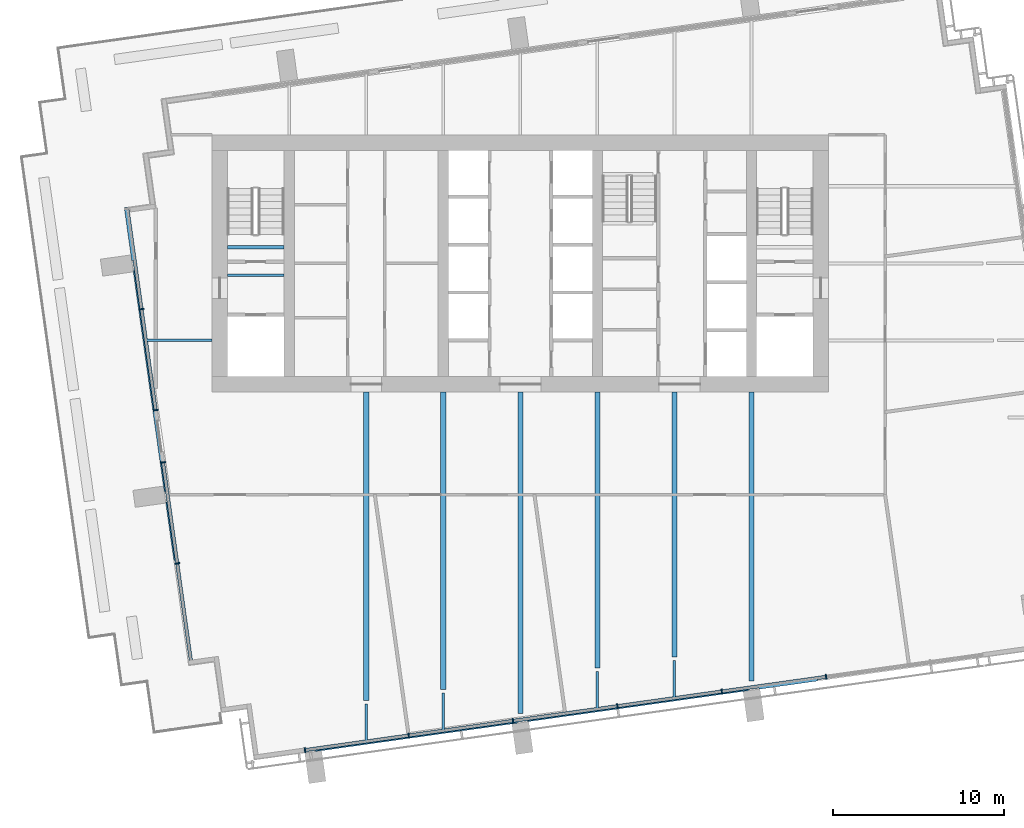
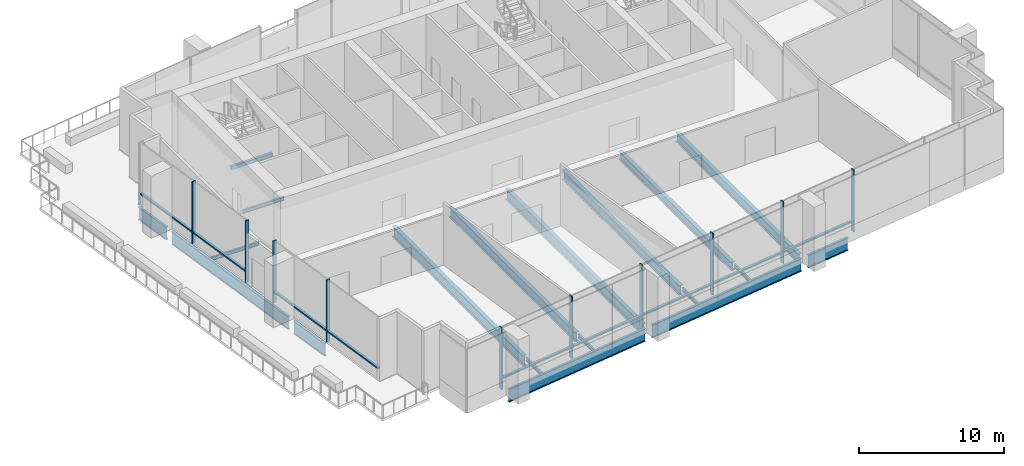
# One storey, part 2 of 18: 19 beams, 19 members, 3 elements without a shape of their own.
"""IFC4 building model written with IfcOpenShell, lengths in metres."""

from ifc_helpers import new_model, si_unit, direction, frame, origin, origin_2d, place, context, subcontext, project, spatial, rectangle, i_section, extrude, material, layer, layer_set, material_profile, profile_set, type_object, element, aggregate, save


model = new_model("IFC4")

# Units and contexts
model_context = context("Model", 3, precision=1e-05, world=origin(), true_north=direction((0.0, 1.0)))
body_context = subcontext(model_context, "Body", "Model", "MODEL_VIEW")
ifc_project = project(units=[si_unit("LENGTHUNIT", "METRE"), si_unit("AREAUNIT", "SQUARE_METRE"), si_unit("VOLUMEUNIT", "CUBIC_METRE"), si_unit("PLANEANGLEUNIT", "RADIAN"), si_unit("MASSUNIT", "GRAM", prefix="KILO")], contexts=[model_context])

# Site, building, storey
site_placement = place(None, origin())
site = spatial("IfcSite", under=ifc_project, at=site_placement, CompositionType="ELEMENT")
building_placement = place(site_placement, origin())
building = spatial("IfcBuilding", under=site, at=building_placement, Name="Rattan Terrace Tower", CompositionType="ELEMENT")
storey_placement = place(building_placement, frame((0.0, 0.0, 208.10009765625)))
storey = spatial("IfcBuildingStorey", under=building, at=storey_placement, Name="L47", CompositionType="ELEMENT", Elevation=208.10009765625)

# Beams
ifc_material_1 = material(Name="Concrete C40/50", Category="concrete")
ifc_material_profile_1 = material_profile(ifc_material_1, rectangle(XDim=0.199951171875, YDim=0.300048828125, at=origin_2d()), Name="RC 200x300")
ifc_profile_set_1 = profile_set([ifc_material_profile_1], Name="Concrete C40/50")
beam_type_1 = type_object("IfcBeamType", Name="Core landing beam RC 200x300", PredefinedType="BEAM", material=ifc_profile_set_1)
beam_1_placement = place(storey_placement, frame((-17.10009765625, 0.949951171875, 2.349853515625), z_axis=(1.0, 0.0, 0.0), x_axis=(0.0, 1.0, 0.0)))
element("IfcBeam", 1, at=beam_1_placement, inside=storey, type_object=beam_type_1, Name="st-S1-L47 landing 2 edge beam", PredefinedType="BEAM", context=body_context, shape_type="SweptSolid", body=[
    extrude(rectangle(XDim=0.199951171875, YDim=0.300048828125, at=origin_2d()), origin(), (0.0, 0.0, 1.0), 3.300048828125),
])
ifc_material_2 = material(Name="Steel S460", Category="steel")
ifc_material_profile_2 = material_profile(ifc_material_2, i_section(OverallWidth=0.179931640625, OverallDepth=1.10009765625, WebThickness=0.01611328125, FlangeThickness=0.050048828125, at=origin_2d()), Name="PG 1100x180-16-50")
ifc_profile_set_2 = profile_set([ifc_material_profile_2], Name="Steel S460")
beam_type_2 = type_object("IfcBeamType", Name="Frame edge girder PG 1100x180-16-50", PredefinedType="SPANDREL", material=ifc_profile_set_2)
beam_2_placement = place(storey_placement, frame((-11.97509765625, -28.4169921875, -0.75), z_axis=(0.990265100578, 0.139194218906, 0.0), x_axis=(-0.139194218906, 0.990265100578, 0.0)))
element("IfcBeam", 2, at=beam_2_placement, inside=storey, type_object=beam_type_2, Name="gdr-L47-001", PredefinedType="SPANDREL", context=body_context, shape_type="SweptSolid", body=[
    extrude(i_section(OverallWidth=0.179931640625, OverallDepth=1.10009765625, WebThickness=0.01611328125, FlangeThickness=0.050048828125, at=origin_2d()), origin(), (0.0, 0.0, 1.0), 11.9111328125),
])
beam_3_placement = place(storey_placement, frame((0.419921875, -26.675048828125, -0.75), z_axis=(0.990257830594, 0.139245929736, 0.0), x_axis=(-0.139245929736, 0.990257830594, 0.0)))
element("IfcBeam", 3, at=beam_3_placement, inside=storey, type_object=beam_type_2, Name="gdr-L47-002", PredefinedType="SPANDREL", context=body_context, shape_type="SweptSolid", body=[
    extrude(i_section(OverallWidth=0.179931640625, OverallDepth=1.10009765625, WebThickness=0.01611328125, FlangeThickness=0.050048828125, at=origin_2d()), origin(), (0.0, 0.0, 1.0), 13.027099609375),
])
for number, where, z_axis, x_axis, name in (
    (4, (13.919921875, -24.777099609375, -0.75), (0.990290741045, 0.139011683683, 0.0), (-0.139011683683, 0.990290741045, 0.0), "gdr-L47-003"),
    (5, (-20.6220703125, -13.919921875, -0.75), (0.138942517072, -0.990300447819, 0.0), (0.990300447819, 0.138942517072, 0.0), "gdr-L47-004"),
):
    element("IfcBeam", number, at=place(storey_placement, frame(where, z_axis=z_axis, x_axis=x_axis)), inside=storey, type_object=beam_type_2, Name=name, PredefinedType="SPANDREL", context=body_context, shape_type="SweptSolid", body=[
        extrude(i_section(OverallWidth=0.179931640625, OverallDepth=1.10009765625, WebThickness=0.01611328125, FlangeThickness=0.050048828125, at=origin_2d()), origin(), (0.0, 0.0, 1.0), 3.461669921875),
    ])
beam_4_placement = place(storey_placement, frame((-22.52001953125, -0.419921875, -0.75), z_axis=(0.139245929736, -0.990257830594, 0.0), x_axis=(0.990257830594, 0.139245929736, 0.0)))
element("IfcBeam", 6, at=beam_4_placement, inside=storey, type_object=beam_type_2, Name="gdr-L47-007", PredefinedType="SPANDREL", context=body_context, shape_type="SweptSolid", body=[
    extrude(i_section(OverallWidth=0.179931640625, OverallDepth=1.10009765625, WebThickness=0.01611328125, FlangeThickness=0.050048828125, at=origin_2d()), origin(), (0.0, 0.0, 1.0), 13.027099609375),
])
beam_5_placement = place(storey_placement, frame((-22.60400390625, 0.179931640625, -0.75), z_axis=(-0.139115451694, 0.990276169106, 0.0), x_axis=(-0.990276169106, -0.139115451694, 0.0)))
element("IfcBeam", 7, at=beam_5_placement, inside=storey, type_object=beam_type_2, Name="gdr-L47-008", PredefinedType="SPANDREL", context=body_context, shape_type="SweptSolid", body=[
    extrude(i_section(OverallWidth=0.179931640625, OverallDepth=1.10009765625, WebThickness=0.01611328125, FlangeThickness=0.050048828125, at=origin_2d()), origin(), (0.0, 0.0, 1.0), 3.11328125),
])
ifc_material_3 = material(Name="Steel S355", Category="steel")
ifc_material_profile_3 = material_profile(ifc_material_3, i_section(OverallWidth=0.300048828125, OverallDepth=0.699951171875, WebThickness=0.01708984375, FlangeThickness=0.031982421875, FilletRadius=0.027099609375, at=origin_2d()), Name="HE 700 B")
ifc_profile_set_3 = profile_set([ifc_material_profile_3], Name="Steel S355")
beam_type_3 = type_object("IfcBeamType", Name="Frame floor beam HE 700 B", PredefinedType="JOIST", material=ifc_profile_set_3)
beam_6_placement = place(storey_placement, frame((9.0, -22.98095703125, -0.550048828125), z_axis=(0.0, 1.0, 0.0), x_axis=(-1.0, 0.0, 0.0)))
element("IfcBeam", 8, at=beam_6_placement, inside=storey, type_object=beam_type_3, Name="bm-L47-012", PredefinedType="JOIST", context=body_context, shape_type="SweptSolid", body=[
    extrude(i_section(OverallWidth=0.300048828125, OverallDepth=0.699951171875, WebThickness=0.01708984375, FlangeThickness=0.031982421875, FilletRadius=0.027099609375, at=origin_2d()), origin(), (0.0, 0.0, 1.0), 15.48095703125),
])
ifc_material_4 = material(Name="Steel S355", Category="steel")
ifc_material_profile_4 = material_profile(ifc_material_4, i_section(OverallWidth=0.300048828125, OverallDepth=0.800048828125, WebThickness=0.017578125, FlangeThickness=0.032958984375, FilletRadius=0.030029296875, at=origin_2d()), Name="HE 800 B")
ifc_profile_set_4 = profile_set([ifc_material_profile_4], Name="Steel S355")
beam_type_4 = type_object("IfcBeamType", Name="Frame floor beam HE 800 B", PredefinedType="JOIST", material=ifc_profile_set_4)
beam_7_placement = place(storey_placement, frame((-4.5, -24.87890625, -0.60009765625), z_axis=(0.0, 1.0, 0.0), x_axis=(-1.0, 0.0, 0.0)))
element("IfcBeam", 9, at=beam_7_placement, inside=storey, type_object=beam_type_4, Name="bm-L47-009", PredefinedType="JOIST", context=body_context, shape_type="SweptSolid", body=[
    extrude(i_section(OverallWidth=0.300048828125, OverallDepth=0.800048828125, WebThickness=0.017578125, FlangeThickness=0.032958984375, FilletRadius=0.030029296875, at=origin_2d()), origin(), (0.0, 0.0, 1.0), 17.37890625),
])
beam_8_placement = place(storey_placement, frame((13.5, -24.39697265625, -0.60009765625), z_axis=(0.0, 1.0, 0.0), x_axis=(-1.0, 0.0, 0.0)))
element("IfcBeam", 10, at=beam_8_placement, inside=storey, type_object=beam_type_4, Name="bm-L47-010", PredefinedType="JOIST", context=body_context, shape_type="SweptSolid", body=[
    extrude(i_section(OverallWidth=0.300048828125, OverallDepth=0.800048828125, WebThickness=0.017578125, FlangeThickness=0.032958984375, FilletRadius=0.030029296875, at=origin_2d()), origin(), (0.0, 0.0, 1.0), 16.89697265625),
])
beam_9_placement = place(storey_placement, frame((4.5, -23.613037109375, -0.60009765625), z_axis=(0.0, 1.0, 0.0), x_axis=(-1.0, 0.0, 0.0)))
element("IfcBeam", 11, at=beam_9_placement, inside=storey, type_object=beam_type_4, Name="bm-L47-011", PredefinedType="JOIST", context=body_context, shape_type="SweptSolid", body=[
    extrude(i_section(OverallWidth=0.300048828125, OverallDepth=0.800048828125, WebThickness=0.017578125, FlangeThickness=0.032958984375, FilletRadius=0.030029296875, at=origin_2d()), origin(), (0.0, 0.0, 1.0), 16.113037109375),
])
ifc_material_5 = material(Name="Steel S355", Category="steel")
ifc_material_profile_5 = material_profile(ifc_material_5, i_section(OverallWidth=0.300048828125, OverallDepth=0.89990234375, WebThickness=0.0185546875, FlangeThickness=0.034912109375, FilletRadius=0.030029296875, at=origin_2d()), Name="HE 900 B")
ifc_profile_set_5 = profile_set([ifc_material_profile_5], Name="Steel S355")
beam_type_5 = type_object("IfcBeamType", Name="Frame floor beam HE 900 B", PredefinedType="JOIST", material=ifc_profile_set_5)
beam_10_placement = place(storey_placement, frame((0.0, -26.2939453125, -0.650146484375), z_axis=(0.0, 1.0, 0.0), x_axis=(-1.0, 0.0, 0.0)))
element("IfcBeam", 12, at=beam_10_placement, inside=storey, type_object=beam_type_5, Name="bm-L47-005", PredefinedType="JOIST", context=body_context, shape_type="SweptSolid", body=[
    extrude(i_section(OverallWidth=0.300048828125, OverallDepth=0.89990234375, WebThickness=0.0185546875, FlangeThickness=0.034912109375, FilletRadius=0.030029296875, at=origin_2d()), origin(), (0.0, 0.0, 1.0), 18.7939453125),
])
beam_11_placement = place(storey_placement, frame((-9.0, -25.510986328125, -0.650146484375), z_axis=(0.0, 1.0, 0.0), x_axis=(-1.0, 0.0, 0.0)))
element("IfcBeam", 13, at=beam_11_placement, inside=storey, type_object=beam_type_5, Name="bm-L47-007", PredefinedType="JOIST", context=body_context, shape_type="SweptSolid", body=[
    extrude(i_section(OverallWidth=0.300048828125, OverallDepth=0.89990234375, WebThickness=0.0185546875, FlangeThickness=0.034912109375, FilletRadius=0.030029296875, at=origin_2d()), origin(), (0.0, 0.0, 1.0), 18.010986328125),
])
ifc_material_6 = material(Name="Steel S355", Category="steel")
ifc_material_profile_6 = material_profile(ifc_material_6, i_section(OverallWidth=0.14990234375, OverallDepth=0.300048828125, WebThickness=0.007080078125, FlangeThickness=0.0107421875, FilletRadius=0.014892578125, at=origin_2d()), Name="IPE 300")
ifc_profile_set_6 = profile_set([ifc_material_profile_6], Name="Steel S355")
beam_type_6 = type_object("IfcBeamType", Name="Frame floor beam IPE 300", PredefinedType="JOIST", material=ifc_profile_set_6)
beam_12_placement = place(storey_placement, frame((-17.10009765625, -0.695068359375, -0.35009765625), z_axis=(1.0, 0.0, 0.0), x_axis=(0.0, 1.0, 0.0)))
element("IfcBeam", 14, at=beam_12_placement, inside=storey, type_object=beam_type_6, Name="bm-L47-001", PredefinedType="JOIST", context=body_context, shape_type="SweptSolid", body=[
    extrude(i_section(OverallWidth=0.14990234375, OverallDepth=0.300048828125, WebThickness=0.007080078125, FlangeThickness=0.0107421875, FilletRadius=0.014892578125, at=origin_2d()), origin(), (0.0, 0.0, 1.0), 3.300048828125),
])
beam_13_placement = place(storey_placement, frame((-9.0, -27.89697265625, -0.35009765625), z_axis=(0.0, 1.0, 0.0), x_axis=(-1.0, 0.0, 0.0)))
element("IfcBeam", 15, at=beam_13_placement, inside=storey, type_object=beam_type_6, Name="bm-L47-003", PredefinedType="JOIST", context=body_context, shape_type="SweptSolid", body=[
    extrude(i_section(OverallWidth=0.14990234375, OverallDepth=0.300048828125, WebThickness=0.007080078125, FlangeThickness=0.0107421875, FilletRadius=0.014892578125, at=origin_2d()), origin(), (0.0, 0.0, 1.0), 2.171875),
])
beam_14_placement = place(storey_placement, frame((-4.5, -27.264892578125, -0.35009765625), z_axis=(0.0, 1.0, 0.0), x_axis=(-1.0, 0.0, 0.0)))
element("IfcBeam", 16, at=beam_14_placement, inside=storey, type_object=beam_type_6, Name="bm-L47-004", PredefinedType="JOIST", context=body_context, shape_type="SweptSolid", body=[
    extrude(i_section(OverallWidth=0.14990234375, OverallDepth=0.300048828125, WebThickness=0.007080078125, FlangeThickness=0.0107421875, FilletRadius=0.014892578125, at=origin_2d()), origin(), (0.0, 0.0, 1.0), 2.1728515625),
])
beam_15_placement = place(storey_placement, frame((4.5, -26.0, -0.35009765625), z_axis=(0.0, 1.0, 0.0), x_axis=(-1.0, 0.0, 0.0)))
element("IfcBeam", 17, at=beam_15_placement, inside=storey, type_object=beam_type_6, Name="bm-L47-006", PredefinedType="JOIST", context=body_context, shape_type="SweptSolid", body=[
    extrude(i_section(OverallWidth=0.14990234375, OverallDepth=0.300048828125, WebThickness=0.007080078125, FlangeThickness=0.0107421875, FilletRadius=0.014892578125, at=origin_2d()), origin(), (0.0, 0.0, 1.0), 2.173095703125),
])
beam_16_placement = place(storey_placement, frame((9.0, -25.366943359375, -0.35009765625), z_axis=(0.0, 1.0, 0.0), x_axis=(-1.0, 0.0, 0.0)))
element("IfcBeam", 18, at=beam_16_placement, inside=storey, type_object=beam_type_6, Name="bm-L47-008", PredefinedType="JOIST", context=body_context, shape_type="SweptSolid", body=[
    extrude(i_section(OverallWidth=0.14990234375, OverallDepth=0.300048828125, WebThickness=0.007080078125, FlangeThickness=0.0107421875, FilletRadius=0.014892578125, at=origin_2d()), origin(), (0.0, 0.0, 1.0), 2.1728515625),
])
beam_17_placement = place(storey_placement, frame((-21.844970703125, -4.5, -0.35009765625), z_axis=(1.0, 0.0, 0.0), x_axis=(0.0, 1.0, 0.0)))
element("IfcBeam", 19, at=beam_17_placement, inside=storey, type_object=beam_type_6, Name="bm-L47-014", PredefinedType="JOIST", context=body_context, shape_type="SweptSolid", body=[
    extrude(i_section(OverallWidth=0.14990234375, OverallDepth=0.300048828125, WebThickness=0.007080078125, FlangeThickness=0.0107421875, FilletRadius=0.014892578125, at=origin_2d()), origin(), (0.0, 0.0, 1.0), 3.844970703125),
])

# Curtain wall, members
ifc_material_7 = material(Name="Steel fins, aluminium and glass", Category="steel")
ifc_layer = layer(ifc_material_7, 0.300048828125)
ifc_layer_set = layer_set([ifc_layer], Name="Sky Lobby Stick Curtain Wall")
curtain_wall_type = type_object("IfcCurtainWallType", Name="Sky Lobby Stick Curtain Wall", PredefinedType="NOTDEFINED", material=ifc_layer_set)
curtain_wall_1_placement = place(storey_placement, origin())
curtain_wall_1 = element("IfcCurtainWall", 20, at=curtain_wall_1_placement, inside=storey, type_object=curtain_wall_type, Name="Sky lobby curtain wall L47-6", PredefinedType="NOTDEFINED")
ifc_material_8 = material(Name="Steel S355", Category="steel")
ifc_material_profile_7 = material_profile(ifc_material_8, rectangle(XDim=0.080078125, YDim=0.300048828125, at=origin_2d()), Name="Steel S355 80x300")
ifc_profile_set_7 = profile_set([ifc_material_profile_7], Name="Steel S355")
member_type_1 = type_object("IfcMemberType", Name="Sky Lobby CW Fin 80x300", PredefinedType="MULLION", material=ifc_profile_set_7)
member_1_placement = place(storey_placement, frame((-22.12255859375, -2.66796875, 0.0), z_axis=(0.0, 0.0, 1.0), x_axis=(0.139186165309, -0.990266232579, 0.0)))
member_1 = element("IfcMember", 21, at=member_1_placement, type_object=member_type_1, Name="Mullion cwl-L47-006.2", PredefinedType="MULLION", context=body_context, shape_type="SweptSolid", body=[
    extrude(rectangle(XDim=0.080078125, YDim=0.300048828125, at=origin_2d()), origin(), (0.0, 0.0, 1.0), 5.199951171875),
])
member_2_placement = place(storey_placement, frame((-21.29296875, -8.56982421875, 0.0), z_axis=(0.0, 0.0, 1.0), x_axis=(0.139186165309, -0.990266232579, 0.0)))
member_2 = element("IfcMember", 22, at=member_2_placement, type_object=member_type_1, Name="Mullion cwl-L47-006.3", PredefinedType="MULLION", context=body_context, shape_type="SweptSolid", body=[
    extrude(rectangle(XDim=0.080078125, YDim=0.300048828125, at=origin_2d()), origin(), (0.0, 0.0, 1.0), 5.199951171875),
])

curtain_wall_2_placement = place(storey_placement, origin())
curtain_wall_2 = element("IfcCurtainWall", 23, at=curtain_wall_2_placement, inside=storey, type_object=curtain_wall_type, Name="Sky lobby curtain wall L47-7", PredefinedType="NOTDEFINED")
member_3_placement = place(storey_placement, frame((-20.8642578125, -11.619873046875, 0.0), z_axis=(0.0, 0.0, 1.0), x_axis=(0.139186165309, -0.990266232579, 0.0)))
member_3 = element("IfcMember", 24, at=member_3_placement, type_object=member_type_1, Name="Mullion cwl-L47-007.1", PredefinedType="MULLION", context=body_context, shape_type="SweptSolid", body=[
    extrude(rectangle(XDim=0.080078125, YDim=0.300048828125, at=origin_2d()), origin(), (0.0, 0.0, 1.0), 5.199951171875),
])
member_4_placement = place(storey_placement, frame((-20.03466796875, -17.52197265625, 0.0), z_axis=(0.0, 0.0, 1.0), x_axis=(0.139186165309, -0.990266232579, 0.0)))
member_4 = element("IfcMember", 25, at=member_4_placement, type_object=member_type_1, Name="Mullion cwl-L47-007.2", PredefinedType="MULLION", context=body_context, shape_type="SweptSolid", body=[
    extrude(rectangle(XDim=0.080078125, YDim=0.300048828125, at=origin_2d()), origin(), (0.0, 0.0, 1.0), 5.199951171875),
])

curtain_wall_3_placement = place(storey_placement, origin())
curtain_wall_3 = element("IfcCurtainWall", 26, at=curtain_wall_3_placement, inside=storey, type_object=curtain_wall_type, Name="Sky lobby curtain wall L47-8", PredefinedType="NOTDEFINED")
member_5_placement = place(storey_placement, frame((-12.574951171875, -28.420166015625, 0.0), z_axis=(0.0, 0.0, 1.0), x_axis=(0.990267457022, 0.139177453499, 0.0)))
member_5 = element("IfcMember", 27, at=member_5_placement, type_object=member_type_1, Name="Mullion cwl-L47-008.1", PredefinedType="MULLION", context=body_context, shape_type="SweptSolid", body=[
    extrude(rectangle(XDim=0.080078125, YDim=0.300048828125, at=origin_2d()), origin(), (0.0, 0.0, 1.0), 5.199951171875),
])
member_6_placement = place(storey_placement, frame((-6.5205078125, -27.569091796875, 0.0), z_axis=(0.0, 0.0, 1.0), x_axis=(0.990267457022, 0.139177453499, 0.0)))
member_6 = element("IfcMember", 28, at=member_6_placement, type_object=member_type_1, Name="Mullion cwl-L47-008.2", PredefinedType="MULLION", context=body_context, shape_type="SweptSolid", body=[
    extrude(rectangle(XDim=0.080078125, YDim=0.300048828125, at=origin_2d()), origin(), (0.0, 0.0, 1.0), 5.199951171875),
])
member_7_placement = place(storey_placement, frame((-0.426513671875, -26.712646484375, 0.0), z_axis=(0.0, 0.0, 1.0), x_axis=(0.990267457022, 0.139177453499, 0.0)))
member_7 = element("IfcMember", 29, at=member_7_placement, type_object=member_type_1, Name="Mullion cwl-L47-008.3", PredefinedType="MULLION", context=body_context, shape_type="SweptSolid", body=[
    extrude(rectangle(XDim=0.080078125, YDim=0.300048828125, at=origin_2d()), origin(), (0.0, 0.0, 1.0), 5.199951171875),
])
member_8_placement = place(storey_placement, frame((5.667724609375, -25.856201171875, 0.0), z_axis=(0.0, 0.0, 1.0), x_axis=(0.990267457022, 0.139177453499, 0.0)))
member_8 = element("IfcMember", 30, at=member_8_placement, type_object=member_type_1, Name="Mullion cwl-L47-008.4", PredefinedType="MULLION", context=body_context, shape_type="SweptSolid", body=[
    extrude(rectangle(XDim=0.080078125, YDim=0.300048828125, at=origin_2d()), origin(), (0.0, 0.0, 1.0), 5.199951171875),
])
member_9_placement = place(storey_placement, frame((11.76171875, -24.999755859375, 0.0), z_axis=(0.0, 0.0, 1.0), x_axis=(0.990267457022, 0.139177453499, 0.0)))
member_9 = element("IfcMember", 31, at=member_9_placement, type_object=member_type_1, Name="Mullion cwl-L47-008.5", PredefinedType="MULLION", context=body_context, shape_type="SweptSolid", body=[
    extrude(rectangle(XDim=0.080078125, YDim=0.300048828125, at=origin_2d()), origin(), (0.0, 0.0, 1.0), 5.199951171875),
])
member_10_placement = place(storey_placement, frame((17.85595703125, -24.14306640625, 0.0), z_axis=(0.0, 0.0, 1.0), x_axis=(0.990267457022, 0.139177453499, 0.0)))
member_10 = element("IfcMember", 32, at=member_10_placement, type_object=member_type_1, Name="Mullion cwl-L47-008.6", PredefinedType="MULLION", context=body_context, shape_type="SweptSolid", body=[
    extrude(rectangle(XDim=0.080078125, YDim=0.300048828125, at=origin_2d()), origin(), (0.0, 0.0, 1.0), 5.199951171875),
])

# Member
ifc_material_9 = material(Name="Aluminium", Category="aluminium")
ifc_material_profile_8 = material_profile(ifc_material_9, rectangle(XDim=0.199951171875, YDim=0.1201171875, at=origin_2d()), Name="Aluminium 200x120")
ifc_profile_set_8 = profile_set([ifc_material_profile_8], Name="Aluminium")
member_type_2 = type_object("IfcMemberType", Name="Sky Lobby CW Transom 200x120", PredefinedType="USERDEFINED", material=ifc_profile_set_8)
member_11_placement = place(storey_placement, frame((-22.940185546875, 3.14990234375, 0.89990234375), z_axis=(0.139159951948, -0.990269916626, 0.0), x_axis=(0.990269916626, 0.139159951948, 0.0)))
member_11 = element("IfcMember", 33, at=member_11_placement, type_object=member_type_2, Name="Transom cwl-L47-006.1", ObjectType="TRANSOM", PredefinedType="USERDEFINED", context=body_context, shape_type="SweptSolid", body=[
    extrude(rectangle(XDim=0.199951171875, YDim=0.1201171875, at=origin_2d()), origin(), (0.0, 0.0, 1.0), 5.835205078125),
])

member_12_placement = place(storey_placement, frame((-22.116943359375, -2.70751953125, 0.89990234375), z_axis=(0.139177217078, -0.99026749025, 0.0), x_axis=(0.99026749025, 0.139177217078, 0.0)))
member_12 = element("IfcMember", 34, at=member_12_placement, type_object=member_type_2, Name="Transom cwl-L47-006.2", ObjectType="TRANSOM", PredefinedType="USERDEFINED", context=body_context, shape_type="SweptSolid", body=[
    extrude(rectangle(XDim=0.199951171875, YDim=0.1201171875, at=origin_2d()), origin(), (0.0, 0.0, 1.0), 5.8798828125),
])

aggregate(curtain_wall_1, [member_1, member_2, member_11, member_12])

member_13_placement = place(storey_placement, frame((-20.858642578125, -11.65966796875, 0.89990234375), z_axis=(0.139177217078, -0.99026749025, 0.0), x_axis=(0.99026749025, 0.139177217078, 0.0)))
member_13 = element("IfcMember", 35, at=member_13_placement, type_object=member_type_2, Name="Transom cwl-L47-007.1", ObjectType="TRANSOM", PredefinedType="USERDEFINED", context=body_context, shape_type="SweptSolid", body=[
    extrude(rectangle(XDim=0.199951171875, YDim=0.1201171875, at=origin_2d()), origin(), (0.0, 0.0, 1.0), 5.8798828125),
])

member_14_placement = place(storey_placement, frame((-20.029296875, -17.5615234375, 0.89990234375), z_axis=(0.139206625828, -0.99026335655, 0.0), x_axis=(0.99026335655, 0.139206625828, 0.0)))
member_14 = element("IfcMember", 36, at=member_14_placement, type_object=member_type_2, Name="Transom cwl-L47-007.2", ObjectType="TRANSOM", PredefinedType="USERDEFINED", context=body_context, shape_type="SweptSolid", body=[
    extrude(rectangle(XDim=0.199951171875, YDim=0.1201171875, at=origin_2d()), origin(), (0.0, 0.0, 1.0), 5.664794921875),
])

aggregate(curtain_wall_2, [member_3, member_4, member_13, member_14])

member_15_placement = place(storey_placement, frame((-12.535400390625, -28.41455078125, 0.89990234375), z_axis=(0.990266601755, 0.139183538714, 0.0), x_axis=(-0.139183538714, 0.990266601755, 0.0)))
member_15 = element("IfcMember", 37, at=member_15_placement, type_object=member_type_2, Name="Transom cwl-L47-008.1", ObjectType="TRANSOM", PredefinedType="USERDEFINED", context=body_context, shape_type="SweptSolid", body=[
    extrude(rectangle(XDim=0.199951171875, YDim=0.1201171875, at=origin_2d()), origin(), (0.0, 0.0, 1.0), 6.0341796875),
])

member_16_placement = place(storey_placement, frame((-6.48095703125, -27.5634765625, 0.89990234375), z_axis=(0.99027086349, 0.139153213841, 0.0), x_axis=(-0.139153213841, 0.99027086349, 0.0)))
member_16 = element("IfcMember", 38, at=member_16_placement, type_object=member_type_2, Name="Transom cwl-L47-008.2", ObjectType="TRANSOM", PredefinedType="USERDEFINED", context=body_context, shape_type="SweptSolid", body=[
    extrude(rectangle(XDim=0.199951171875, YDim=0.1201171875, at=origin_2d()), origin(), (0.0, 0.0, 1.0), 6.073974609375),
])

member_17_placement = place(storey_placement, frame((-0.38671875, -26.70703125, 0.89990234375), z_axis=(0.990270085134, 0.139158752831, 0.0), x_axis=(-0.139158752831, 0.990270085134, 0.0)))
member_17 = element("IfcMember", 39, at=member_17_placement, type_object=member_type_2, Name="Transom cwl-L47-008.3", ObjectType="TRANSOM", PredefinedType="USERDEFINED", context=body_context, shape_type="SweptSolid", body=[
    extrude(rectangle(XDim=0.199951171875, YDim=0.1201171875, at=origin_2d()), origin(), (0.0, 0.0, 1.0), 6.07373046875),
])

member_18_placement = place(storey_placement, frame((5.707275390625, -25.8505859375, 0.89990234375), z_axis=(0.990265323966, 0.139192629658, 0.0), x_axis=(-0.139192629658, 0.990265323966, 0.0)))
member_18 = element("IfcMember", 40, at=member_18_placement, type_object=member_type_2, Name="Transom cwl-L47-008.4", ObjectType="TRANSOM", PredefinedType="USERDEFINED", context=body_context, shape_type="SweptSolid", body=[
    extrude(rectangle(XDim=0.199951171875, YDim=0.1201171875, at=origin_2d()), origin(), (0.0, 0.0, 1.0), 6.073974609375),
])

member_19_placement = place(storey_placement, frame((11.80126953125, -24.994140625, 0.89990234375), z_axis=(0.990265323966, 0.139192629658, 0.0), x_axis=(-0.139192629658, 0.990265323966, 0.0)))
member_19 = element("IfcMember", 41, at=member_19_placement, type_object=member_type_2, Name="Transom cwl-L47-008.5", ObjectType="TRANSOM", PredefinedType="USERDEFINED", context=body_context, shape_type="SweptSolid", body=[
    extrude(rectangle(XDim=0.199951171875, YDim=0.1201171875, at=origin_2d()), origin(), (0.0, 0.0, 1.0), 6.073974609375),
])

aggregate(curtain_wall_3, [member_5, member_6, member_7, member_8, member_9, member_10, member_15, member_16, member_17, member_18, member_19])

save(model, "model.ifc")
